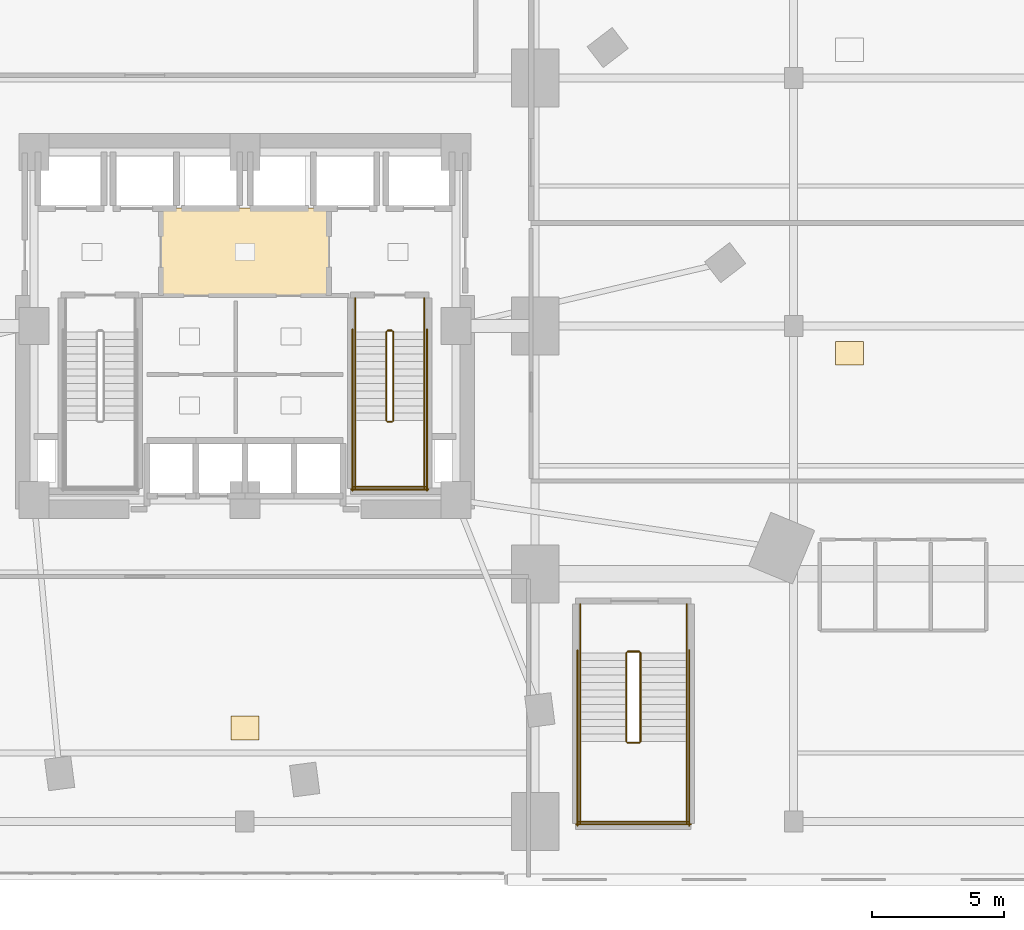
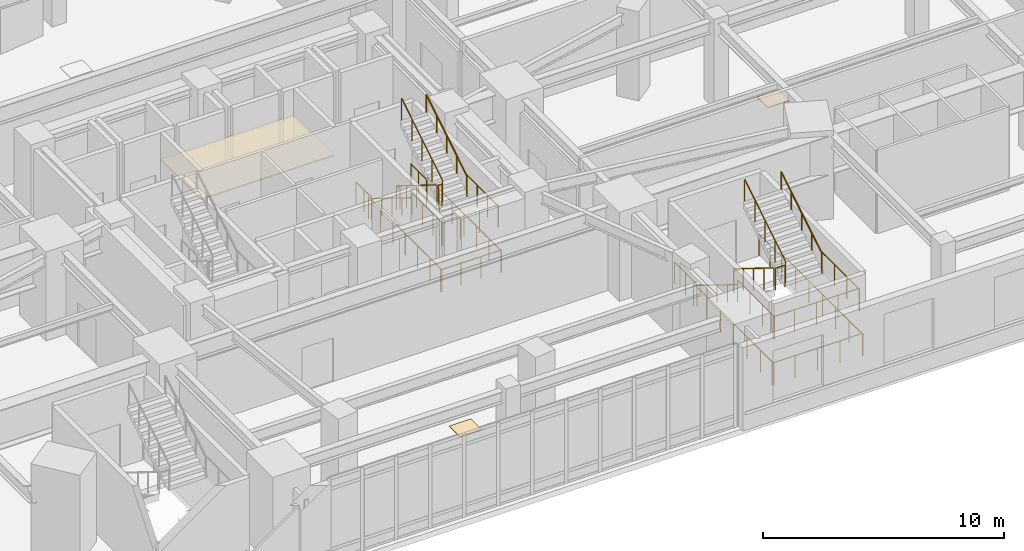
# One storey, part 18 of 19: 28 railings, 3 coverings.
"""IFC4 building model written with IfcOpenShell, lengths in metres."""

from ifc_helpers import new_model, si_unit, direction, frame, origin, origin_2d, place, context, subcontext, project, spatial, rectangle, circle, extrude, material, layer, layer_set, type_object, element, save


model = new_model("IFC4")

# Units and contexts
model_context = context("Model", 3, precision=1e-05, world=origin(), true_north=direction((0.0, 1.0)))
body_context = subcontext(model_context, "Body", "Model", "MODEL_VIEW")
ifc_project = project(units=[si_unit("LENGTHUNIT", "METRE"), si_unit("AREAUNIT", "SQUARE_METRE"), si_unit("VOLUMEUNIT", "CUBIC_METRE"), si_unit("PLANEANGLEUNIT", "RADIAN"), si_unit("MASSUNIT", "GRAM", prefix="KILO")], contexts=[model_context])

# Site, building, storey
site_placement = place(None, origin())
site = spatial("IfcSite", under=ifc_project, at=site_placement, CompositionType="ELEMENT")
building_placement = place(site_placement, origin())
building = spatial("IfcBuilding", under=site, at=building_placement, Name="Ndelora Gate Hotel", CompositionType="ELEMENT")
storey_placement = place(building_placement, frame((0.0, 0.0, 21.5)))
storey = spatial("IfcBuildingStorey", under=building, at=storey_placement, Name="L04", CompositionType="ELEMENT", Elevation=21.5)

# Coverings
ifc_material_1 = material(Name="Perforated Acoustic Gypsum Board", Category="gypsum")
ifc_layer_1 = layer(ifc_material_1, 0.054931640625)
ifc_layer_set_1 = layer_set([ifc_layer_1], Name="Perforated Acoustic Gypsum Board")
covering_type_1 = type_object("IfcCoveringType", Name="COV-CEIL-AC60", PredefinedType="CEILING", material=ifc_layer_set_1)
covering_placement = place(storey_placement, frame((0.0, 2.800048828125, 2.72265625), z_axis=(0.0, 0.0, 1.0), x_axis=(1.0, 0.0, 0.0)))
element("IfcCovering", 1, at=covering_placement, inside=storey, type_object=covering_type_1, Name="L04 Lift Lobby Acoustic Ceiling", PredefinedType="CEILING", context=body_context, shape_type="SweptSolid", body=[
    extrude(rectangle(XDim=6.39990234375, YDim=3.340087890625, at=origin_2d()), origin(), (0.0, 0.0, 1.0), 0.054931640625),
])
ifc_material_2 = material(Name="Engineered Highland Oak Parquet", Category="wood")
ifc_layer_2 = layer(ifc_material_2, 0.030029296875)
ifc_layer_set_2 = layer_set([ifc_layer_2], Name="Engineered Highland Oak Parquet")
covering_type_2 = type_object("IfcCoveringType", Name="COV-FLR-PARQ", PredefinedType="FLOORING", material=ifc_layer_set_2)
for number, where, z_axis, x_axis, name in (
    (2, (0.0, -15.25, 0.0), (0.0, 0.0, 1.0), (1.0, 0.0, 0.0), "L04 South Syndicate Salon Oak Parquet Flooring"),
    (3, (22.925048828125, -1.0400390625, 0.0), (0.0, 0.0, 1.0), (1.0, 0.0, 0.0), "L04 Hotel Executive Administration Office Oak Parquet Flooring"),
):
    element("IfcCovering", number, at=place(storey_placement, frame(where, z_axis=z_axis, x_axis=x_axis)), inside=storey, type_object=covering_type_2, Name=name, PredefinedType="FLOORING", context=body_context, shape_type="SweptSolid", body=[
        extrude(rectangle(XDim=1.050048828125, YDim=0.89990234375, at=origin_2d()), origin(), (0.0, 0.0, 1.0), 0.030029296875),
    ])

# Railings
ifc_material_3 = material(Name="Painted Galvanized Steel Balustrade", Category="steel")
ifc_layer_3 = layer(ifc_material_3, 0.06005859375)
ifc_layer_set_3 = layer_set([ifc_layer_3], Name="Painted Galvanized Steel Balustrade")
railing_type_1 = type_object("IfcRailingType", Name="RL-STAIR-GD", PredefinedType="GUARDRAIL", material=ifc_layer_set_3)
railing_1_placement = place(storey_placement, frame((5.360107421875, -0.22998046875, 0.173095703125)))
element("IfcRailing", 4, at=railing_1_placement, inside=storey, type_object=railing_type_1, Name="L04 ST5 stair guard 1", PredefinedType="GUARDRAIL", context=body_context, shape_type="SweptSolid", body=[
    extrude(circle(Radius=0.02392578125, at=origin_2d()), frame((0.0, 0.0, 1.10595703125), z_axis=(0.0, -0.850623216509, 0.525775754039), x_axis=(1.0, 0.0, 0.0)), (0.0, 0.0, 1.0), 3.9501953125),
    extrude(circle(Radius=0.02099609375, at=origin_2d()), origin(), (0.0, 0.0, 1.0), 1.081787109375),
    extrude(circle(Radius=0.02099609375, at=origin_2d()), frame((0.0, -0.840087890625, 0.519287109375)), (0.0, 0.0, 1.0), 1.081787109375),
    extrude(circle(Radius=0.02099609375, at=origin_2d()), frame((0.0, -1.68017578125, 1.03857421875)), (0.0, 0.0, 1.0), 1.081787109375),
    extrude(circle(Radius=0.02099609375, at=origin_2d()), frame((0.0, -2.52001953125, 1.5576171875)), (0.0, 0.0, 1.0), 1.081787109375),
    extrude(circle(Radius=0.02099609375, at=origin_2d()), frame((0.0, -3.360107421875, 2.076904296875)), (0.0, 0.0, 1.0), 1.081787109375),
])
railing_2_placement = place(storey_placement, frame((5.409912109375, -3.639892578125, 2.25)))
element("IfcRailing", 5, at=railing_2_placement, inside=storey, type_object=railing_type_1, Name="L04 ST5 stair guard 2", PredefinedType="GUARDRAIL", context=body_context, shape_type="SweptSolid", body=[
    extrude(circle(Radius=0.02392578125, at=origin_2d()), frame((0.0, 0.0, 1.10595703125), z_axis=(1.0, 0.0, 0.0), x_axis=(0.0, 1.0, 0.0)), (0.0, 0.0, 1.0), 0.16015625),
    extrude(circle(Radius=0.02099609375, at=origin_2d()), origin(), (0.0, 0.0, 1.0), 1.081787109375),
    extrude(circle(Radius=0.02099609375, at=origin_2d()), frame((0.16015625, 0.0, 0.0)), (0.0, 0.0, 1.0), 1.081787109375),
])
for number, where, name in (
    (6, (4.179931640625, -3.590087890625, 2.25), "L04 ST5 stair guard 3"),
    (7, (6.800048828125, -3.590087890625, 2.25), "L04 ST5 stair guard 4"),
):
    element("IfcRailing", number, at=place(storey_placement, frame(where)), inside=storey, type_object=railing_type_1, Name=name, PredefinedType="GUARDRAIL", context=body_context, shape_type="SweptSolid", body=[
        extrude(circle(Radius=0.02392578125, at=origin_2d()), frame((0.0, 0.0, 1.10595703125), z_axis=(0.0, -1.0, 0.0), x_axis=(1.0, 0.0, 0.0)), (0.0, 0.0, 1.0), 2.559814453125),
        extrude(circle(Radius=0.02099609375, at=origin_2d()), origin(), (0.0, 0.0, 1.0), 1.081787109375),
        extrude(circle(Radius=0.02099609375, at=origin_2d()), frame((0.0, -0.853271484375, 0.0)), (0.0, 0.0, 1.0), 1.081787109375),
        extrude(circle(Radius=0.02099609375, at=origin_2d()), frame((0.0, -1.70654296875, 0.0)), (0.0, 0.0, 1.0), 1.081787109375),
        extrude(circle(Radius=0.02099609375, at=origin_2d()), frame((0.0, -2.559814453125, 0.0)), (0.0, 0.0, 1.0), 1.081787109375),
    ])
railing_3_placement = place(storey_placement, frame((4.1298828125, -6.10009765625, 2.25)))
element("IfcRailing", 8, at=railing_3_placement, inside=storey, type_object=railing_type_1, Name="L04 ST5 stair guard 5", PredefinedType="GUARDRAIL", context=body_context, shape_type="SweptSolid", body=[
    extrude(circle(Radius=0.02392578125, at=origin_2d()), frame((0.0, 0.0, 1.10595703125), z_axis=(1.0, 0.0, 0.0), x_axis=(0.0, 1.0, 0.0)), (0.0, 0.0, 1.0), 2.72021484375),
    extrude(circle(Radius=0.02099609375, at=origin_2d()), origin(), (0.0, 0.0, 1.0), 1.081787109375),
    extrude(circle(Radius=0.02099609375, at=origin_2d()), frame((0.90673828125, 0.0, 0.0)), (0.0, 0.0, 1.0), 1.081787109375),
    extrude(circle(Radius=0.02099609375, at=origin_2d()), frame((1.8134765625, 0.0, 0.0)), (0.0, 0.0, 1.0), 1.081787109375),
    extrude(circle(Radius=0.02099609375, at=origin_2d()), frame((2.72021484375, 0.0, 0.0)), (0.0, 0.0, 1.0), 1.081787109375),
])
railing_4_placement = place(storey_placement, frame((5.6201171875, -3.590087890625, 2.423095703125)))
element("IfcRailing", 9, at=railing_4_placement, inside=storey, type_object=railing_type_1, Name="L04 ST5 stair guard 6", PredefinedType="GUARDRAIL", context=body_context, shape_type="SweptSolid", body=[
    extrude(circle(Radius=0.02392578125, at=origin_2d()), frame((0.0, 0.0, 1.10595703125), z_axis=(0.0, 0.850623216509, 0.525775754039), x_axis=(-1.0, 0.0, 0.0)), (0.0, 0.0, 1.0), 3.9501953125),
    extrude(circle(Radius=0.02099609375, at=origin_2d()), origin(), (0.0, 0.0, 1.0), 1.081787109375),
    extrude(circle(Radius=0.02099609375, at=origin_2d()), frame((0.0, 0.840087890625, 0.519287109375)), (0.0, 0.0, 1.0), 1.081787109375),
    extrude(circle(Radius=0.02099609375, at=origin_2d()), frame((0.0, 1.68017578125, 1.03857421875)), (0.0, 0.0, 1.0), 1.081787109375),
    extrude(circle(Radius=0.02099609375, at=origin_2d()), frame((0.0, 2.52001953125, 1.5576171875)), (0.0, 0.0, 1.0), 1.081787109375),
    extrude(circle(Radius=0.02099609375, at=origin_2d()), frame((0.0, 3.360107421875, 2.076904296875)), (0.0, 0.0, 1.0), 1.081787109375),
])
railing_5_placement = place(storey_placement, frame((5.409912109375, -0.179931640625, 0.0)))
element("IfcRailing", 10, at=railing_5_placement, inside=storey, type_object=railing_type_1, Name="L04 ST5 stair guard 7", PredefinedType="GUARDRAIL", context=body_context, shape_type="SweptSolid", body=[
    extrude(circle(Radius=0.02392578125, at=origin_2d()), frame((0.0, 0.0, 1.10595703125), z_axis=(1.0, 0.0, 0.0), x_axis=(0.0, 1.0, 0.0)), (0.0, 0.0, 1.0), 0.16015625),
    extrude(circle(Radius=0.02099609375, at=origin_2d()), origin(), (0.0, 0.0, 1.0), 1.081787109375),
    extrude(circle(Radius=0.02099609375, at=origin_2d()), frame((0.16015625, 0.0, 0.0)), (0.0, 0.0, 1.0), 1.081787109375),
])
for number, where, name in (
    (11, (4.179931640625, 1.050048828125, 0.0), "L04 ST5 stair guard 8"),
    (12, (6.800048828125, 1.050048828125, 0.0), "L04 ST5 stair guard 9"),
):
    element("IfcRailing", number, at=place(storey_placement, frame(where)), inside=storey, type_object=railing_type_1, Name=name, PredefinedType="GUARDRAIL", context=body_context, shape_type="SweptSolid", body=[
        extrude(circle(Radius=0.02392578125, at=origin_2d()), frame((0.0, 0.0, 1.10595703125), z_axis=(0.0, -1.0, 0.0), x_axis=(1.0, 0.0, 0.0)), (0.0, 0.0, 1.0), 1.280029296875),
        extrude(circle(Radius=0.02099609375, at=origin_2d()), origin(), (0.0, 0.0, 1.0), 1.081787109375),
        extrude(circle(Radius=0.02099609375, at=origin_2d()), frame((0.0, -0.64013671875, 0.0)), (0.0, 0.0, 1.0), 1.081787109375),
        extrude(circle(Radius=0.02099609375, at=origin_2d()), frame((0.0, -1.280029296875, 0.0)), (0.0, 0.0, 1.0), 1.081787109375),
    ])
for number, where, name in (
    (13, (4.080078125, -0.1298828125, 0.0), "L04 ST5 stair guard 10"),
    (14, (6.89990234375, -0.1298828125, 0.0), "L04 ST5 stair guard 11"),
):
    element("IfcRailing", number, at=place(storey_placement, frame(where)), inside=storey, type_object=railing_type_1, Name=name, PredefinedType="GUARDRAIL", context=body_context, shape_type="SweptSolid", body=[
        extrude(circle(Radius=0.02392578125, at=origin_2d()), frame((0.0, 0.0, 1.10595703125), z_axis=(0.0, -1.0, 0.0), x_axis=(1.0, 0.0, 0.0)), (0.0, 0.0, 1.0), 6.1201171875),
        extrude(circle(Radius=0.02099609375, at=origin_2d()), origin(), (0.0, 0.0, 1.0), 1.081787109375),
        extrude(circle(Radius=0.02099609375, at=origin_2d()), frame((0.0, -1.02001953125, 0.0)), (0.0, 0.0, 1.0), 1.081787109375),
        extrude(circle(Radius=0.02099609375, at=origin_2d()), frame((0.0, -2.0400390625, 0.0)), (0.0, 0.0, 1.0), 1.081787109375),
        extrude(circle(Radius=0.02099609375, at=origin_2d()), frame((0.0, -3.06005859375, 0.0)), (0.0, 0.0, 1.0), 1.081787109375),
        extrude(circle(Radius=0.02099609375, at=origin_2d()), frame((0.0, -4.080078125, 0.0)), (0.0, 0.0, 1.0), 1.081787109375),
        extrude(circle(Radius=0.02099609375, at=origin_2d()), frame((0.0, -5.10009765625, 0.0)), (0.0, 0.0, 1.0), 1.081787109375),
        extrude(circle(Radius=0.02099609375, at=origin_2d()), frame((0.0, -6.1201171875, 0.0)), (0.0, 0.0, 1.0), 1.081787109375),
    ])
railing_6_placement = place(storey_placement, frame((4.030029296875, -6.199951171875, 0.0)))
element("IfcRailing", 15, at=railing_6_placement, inside=storey, type_object=railing_type_1, Name="L04 ST5 stair guard 12", PredefinedType="GUARDRAIL", context=body_context, shape_type="SweptSolid", body=[
    extrude(circle(Radius=0.02392578125, at=origin_2d()), frame((0.0, 0.0, 1.10595703125), z_axis=(1.0, 0.0, 0.0), x_axis=(0.0, 1.0, 0.0)), (0.0, 0.0, 1.0), 2.919921875),
    extrude(circle(Radius=0.02099609375, at=origin_2d()), origin(), (0.0, 0.0, 1.0), 1.081787109375),
    extrude(circle(Radius=0.02099609375, at=origin_2d()), frame((0.973388671875, 0.0, 0.0)), (0.0, 0.0, 1.0), 1.081787109375),
    extrude(circle(Radius=0.02099609375, at=origin_2d()), frame((1.946533203125, 0.0, 0.0)), (0.0, 0.0, 1.0), 1.081787109375),
    extrude(circle(Radius=0.02099609375, at=origin_2d()), frame((2.919921875, 0.0, 0.0)), (0.0, 0.0, 1.0), 1.081787109375),
])
railing_7_placement = place(storey_placement, frame((14.4599609375, -12.39990234375, 0.173095703125)))
element("IfcRailing", 16, at=railing_7_placement, inside=storey, type_object=railing_type_1, Name="L04 ST3B stair guard 1", PredefinedType="GUARDRAIL", context=body_context, shape_type="SweptSolid", body=[
    extrude(circle(Radius=0.02392578125, at=origin_2d()), frame((0.0, 0.0, 1.10595703125), z_axis=(0.0, -0.850623216509, 0.525775754039), x_axis=(1.0, 0.0, 0.0)), (0.0, 0.0, 1.0), 3.9501953125),
    extrude(circle(Radius=0.02099609375, at=origin_2d()), origin(), (0.0, 0.0, 1.0), 1.081787109375),
    extrude(circle(Radius=0.02099609375, at=origin_2d()), frame((0.0, -0.840087890625, 0.519287109375)), (0.0, 0.0, 1.0), 1.081787109375),
    extrude(circle(Radius=0.02099609375, at=origin_2d()), frame((0.0, -1.68017578125, 1.03857421875)), (0.0, 0.0, 1.0), 1.081787109375),
    extrude(circle(Radius=0.02099609375, at=origin_2d()), frame((0.0, -2.52001953125, 1.5576171875)), (0.0, 0.0, 1.0), 1.081787109375),
    extrude(circle(Radius=0.02099609375, at=origin_2d()), frame((0.0, -3.360107421875, 2.076904296875)), (0.0, 0.0, 1.0), 1.081787109375),
])
railing_8_placement = place(storey_placement, frame((14.510009765625, -15.81005859375, 2.25)))
element("IfcRailing", 17, at=railing_8_placement, inside=storey, type_object=railing_type_1, Name="L04 ST3B stair guard 2", PredefinedType="GUARDRAIL", context=body_context, shape_type="SweptSolid", body=[
    extrude(circle(Radius=0.02392578125, at=origin_2d()), frame((0.0, 0.0, 1.10595703125), z_axis=(1.0, 0.0, 0.0), x_axis=(0.0, 1.0, 0.0)), (0.0, 0.0, 1.0), 0.43994140625),
    extrude(circle(Radius=0.02099609375, at=origin_2d()), origin(), (0.0, 0.0, 1.0), 1.081787109375),
    extrude(circle(Radius=0.02099609375, at=origin_2d()), frame((0.43994140625, 0.0, 0.0)), (0.0, 0.0, 1.0), 1.081787109375),
])
for number, where, name in (
    (18, (12.7099609375, -15.760009765625, 2.25), "L04 ST3B stair guard 3"),
    (19, (16.75, -15.760009765625, 2.25), "L04 ST3B stair guard 4"),
):
    element("IfcRailing", number, at=place(storey_placement, frame(where)), inside=storey, type_object=railing_type_1, Name=name, PredefinedType="GUARDRAIL", context=body_context, shape_type="SweptSolid", body=[
        extrude(circle(Radius=0.02392578125, at=origin_2d()), frame((0.0, 0.0, 1.10595703125), z_axis=(0.0, -1.0, 0.0), x_axis=(1.0, 0.0, 0.0)), (0.0, 0.0, 1.0), 3.090087890625),
        extrude(circle(Radius=0.02099609375, at=origin_2d()), origin(), (0.0, 0.0, 1.0), 1.081787109375),
        extrude(circle(Radius=0.02099609375, at=origin_2d()), frame((0.0, -1.030029296875, 0.0)), (0.0, 0.0, 1.0), 1.081787109375),
        extrude(circle(Radius=0.02099609375, at=origin_2d()), frame((0.0, -2.06005859375, 0.0)), (0.0, 0.0, 1.0), 1.081787109375),
        extrude(circle(Radius=0.02099609375, at=origin_2d()), frame((0.0, -3.090087890625, 0.0)), (0.0, 0.0, 1.0), 1.081787109375),
    ])
railing_9_placement = place(storey_placement, frame((12.659912109375, -18.800048828125, 2.25)))
element("IfcRailing", 20, at=railing_9_placement, inside=storey, type_object=railing_type_1, Name="L04 ST3B stair guard 5", PredefinedType="GUARDRAIL", context=body_context, shape_type="SweptSolid", body=[
    extrude(circle(Radius=0.02392578125, at=origin_2d()), frame((0.0, 0.0, 1.10595703125), z_axis=(1.0, 0.0, 0.0), x_axis=(0.0, 1.0, 0.0)), (0.0, 0.0, 1.0), 4.14013671875),
    extrude(circle(Radius=0.02099609375, at=origin_2d()), origin(), (0.0, 0.0, 1.0), 1.081787109375),
    extrude(circle(Radius=0.02099609375, at=origin_2d()), frame((1.03515625, 0.0, 0.0)), (0.0, 0.0, 1.0), 1.081787109375),
    extrude(circle(Radius=0.02099609375, at=origin_2d()), frame((2.070068359375, 0.0, 0.0)), (0.0, 0.0, 1.0), 1.081787109375),
    extrude(circle(Radius=0.02099609375, at=origin_2d()), frame((3.10498046875, 0.0, 0.0)), (0.0, 0.0, 1.0), 1.081787109375),
    extrude(circle(Radius=0.02099609375, at=origin_2d()), frame((4.14013671875, 0.0, 0.0)), (0.0, 0.0, 1.0), 1.081787109375),
])
railing_10_placement = place(storey_placement, frame((15.0, -15.760009765625, 2.423095703125)))
element("IfcRailing", 21, at=railing_10_placement, inside=storey, type_object=railing_type_1, Name="L04 ST3B stair guard 6", PredefinedType="GUARDRAIL", context=body_context, shape_type="SweptSolid", body=[
    extrude(circle(Radius=0.02392578125, at=origin_2d()), frame((0.0, 0.0, 1.10595703125), z_axis=(0.0, 0.850623216509, 0.525775754039), x_axis=(-1.0, 0.0, 0.0)), (0.0, 0.0, 1.0), 3.9501953125),
    extrude(circle(Radius=0.02099609375, at=origin_2d()), origin(), (0.0, 0.0, 1.0), 1.081787109375),
    extrude(circle(Radius=0.02099609375, at=origin_2d()), frame((0.0, 0.840087890625, 0.519287109375)), (0.0, 0.0, 1.0), 1.081787109375),
    extrude(circle(Radius=0.02099609375, at=origin_2d()), frame((0.0, 1.68017578125, 1.03857421875)), (0.0, 0.0, 1.0), 1.081787109375),
    extrude(circle(Radius=0.02099609375, at=origin_2d()), frame((0.0, 2.52001953125, 1.5576171875)), (0.0, 0.0, 1.0), 1.081787109375),
    extrude(circle(Radius=0.02099609375, at=origin_2d()), frame((0.0, 3.360107421875, 2.076904296875)), (0.0, 0.0, 1.0), 1.081787109375),
])
railing_11_placement = place(storey_placement, frame((14.510009765625, -12.35009765625, 0.0)))
element("IfcRailing", 22, at=railing_11_placement, inside=storey, type_object=railing_type_1, Name="L04 ST3B stair guard 7", PredefinedType="GUARDRAIL", context=body_context, shape_type="SweptSolid", body=[
    extrude(circle(Radius=0.02392578125, at=origin_2d()), frame((0.0, 0.0, 1.10595703125), z_axis=(1.0, 0.0, 0.0), x_axis=(0.0, 1.0, 0.0)), (0.0, 0.0, 1.0), 0.43994140625),
    extrude(circle(Radius=0.02099609375, at=origin_2d()), origin(), (0.0, 0.0, 1.0), 1.081787109375),
    extrude(circle(Radius=0.02099609375, at=origin_2d()), frame((0.43994140625, 0.0, 0.0)), (0.0, 0.0, 1.0), 1.081787109375),
])
for number, where, name in (
    (23, (12.7099609375, -10.550048828125, 0.0), "L04 ST3B stair guard 8"),
    (24, (16.75, -10.550048828125, 0.0), "L04 ST3B stair guard 9"),
):
    element("IfcRailing", number, at=place(storey_placement, frame(where)), inside=storey, type_object=railing_type_1, Name=name, PredefinedType="GUARDRAIL", context=body_context, shape_type="SweptSolid", body=[
        extrude(circle(Radius=0.02392578125, at=origin_2d()), frame((0.0, 0.0, 1.10595703125), z_axis=(0.0, -1.0, 0.0), x_axis=(1.0, 0.0, 0.0)), (0.0, 0.0, 1.0), 1.849853515625),
        extrude(circle(Radius=0.02099609375, at=origin_2d()), origin(), (0.0, 0.0, 1.0), 1.081787109375),
        extrude(circle(Radius=0.02099609375, at=origin_2d()), frame((0.0, -0.9248046875, 0.0)), (0.0, 0.0, 1.0), 1.081787109375),
        extrude(circle(Radius=0.02099609375, at=origin_2d()), frame((0.0, -1.849853515625, 0.0)), (0.0, 0.0, 1.0), 1.081787109375),
    ])
for number, where, name in (
    (25, (12.610107421875, -12.300048828125, 0.0), "L04 ST3B stair guard 10"),
    (26, (16.85009765625, -12.300048828125, 0.0), "L04 ST3B stair guard 11"),
):
    element("IfcRailing", number, at=place(storey_placement, frame(where)), inside=storey, type_object=railing_type_1, Name=name, PredefinedType="GUARDRAIL", context=body_context, shape_type="SweptSolid", body=[
        extrude(circle(Radius=0.02392578125, at=origin_2d()), frame((0.0, 0.0, 1.10595703125), z_axis=(0.0, -1.0, 0.0), x_axis=(1.0, 0.0, 0.0)), (0.0, 0.0, 1.0), 6.64990234375),
        extrude(circle(Radius=0.02099609375, at=origin_2d()), origin(), (0.0, 0.0, 1.0), 1.081787109375),
        extrude(circle(Radius=0.02099609375, at=origin_2d()), frame((0.0, -1.1083984375, 0.0)), (0.0, 0.0, 1.0), 1.081787109375),
        extrude(circle(Radius=0.02099609375, at=origin_2d()), frame((0.0, -2.216552734375, 0.0)), (0.0, 0.0, 1.0), 1.081787109375),
        extrude(circle(Radius=0.02099609375, at=origin_2d()), frame((0.0, -3.324951171875, 0.0)), (0.0, 0.0, 1.0), 1.081787109375),
        extrude(circle(Radius=0.02099609375, at=origin_2d()), frame((0.0, -4.433349609375, 0.0)), (0.0, 0.0, 1.0), 1.081787109375),
        extrude(circle(Radius=0.02099609375, at=origin_2d()), frame((0.0, -5.54150390625, 0.0)), (0.0, 0.0, 1.0), 1.081787109375),
        extrude(circle(Radius=0.02099609375, at=origin_2d()), frame((0.0, -6.64990234375, 0.0)), (0.0, 0.0, 1.0), 1.081787109375),
    ])
railing_12_placement = place(storey_placement, frame((12.56005859375, -18.89990234375, 0.0)))
element("IfcRailing", 27, at=railing_12_placement, inside=storey, type_object=railing_type_1, Name="L04 ST3B stair guard 12", PredefinedType="GUARDRAIL", context=body_context, shape_type="SweptSolid", body=[
    extrude(circle(Radius=0.02392578125, at=origin_2d()), frame((0.0, 0.0, 1.10595703125), z_axis=(1.0, 0.0, 0.0), x_axis=(0.0, 1.0, 0.0)), (0.0, 0.0, 1.0), 4.33984375),
    extrude(circle(Radius=0.02099609375, at=origin_2d()), origin(), (0.0, 0.0, 1.0), 1.081787109375),
    extrude(circle(Radius=0.02099609375, at=origin_2d()), frame((1.0849609375, 0.0, 0.0)), (0.0, 0.0, 1.0), 1.081787109375),
    extrude(circle(Radius=0.02099609375, at=origin_2d()), frame((2.169921875, 0.0, 0.0)), (0.0, 0.0, 1.0), 1.081787109375),
    extrude(circle(Radius=0.02099609375, at=origin_2d()), frame((3.2548828125, 0.0, 0.0)), (0.0, 0.0, 1.0), 1.081787109375),
    extrude(circle(Radius=0.02099609375, at=origin_2d()), frame((4.33984375, 0.0, 0.0)), (0.0, 0.0, 1.0), 1.081787109375),
])
ifc_material_4 = material(Name="Brushed Stainless Steel 316", Category="steel")
ifc_layer_4 = layer(ifc_material_4, 0.050048828125)
ifc_layer_set_4 = layer_set([ifc_layer_4], Name="Brushed Stainless Steel 316")
railing_type_2 = type_object("IfcRailingType", Name="RL-STAIR-HR", PredefinedType="HANDRAIL", material=ifc_layer_set_4)
railing_13_placement = place(storey_placement, frame((4.179931640625, -0.22998046875, 0.173095703125)))
element("IfcRailing", 28, at=railing_13_placement, inside=storey, type_object=railing_type_2, Name="L04 ST5 stair handrail 1", PredefinedType="HANDRAIL", context=body_context, shape_type="SweptSolid", body=[
    extrude(circle(Radius=0.02392578125, at=origin_2d()), frame((0.0, 0.0, 0.8759765625), z_axis=(0.0, -0.850623216509, 0.525775754039), x_axis=(1.0, 0.0, 0.0)), (0.0, 0.0, 1.0), 3.9501953125),
    extrude(circle(Radius=0.02099609375, at=origin_2d()), origin(), (0.0, 0.0, 1.0), 0.851806640625),
    extrude(circle(Radius=0.02099609375, at=origin_2d()), frame((0.0, -0.840087890625, 0.519287109375)), (0.0, 0.0, 1.0), 0.851806640625),
    extrude(circle(Radius=0.02099609375, at=origin_2d()), frame((0.0, -1.68017578125, 1.03857421875)), (0.0, 0.0, 1.0), 0.851806640625),
    extrude(circle(Radius=0.02099609375, at=origin_2d()), frame((0.0, -2.52001953125, 1.5576171875)), (0.0, 0.0, 1.0), 0.851806640625),
    extrude(circle(Radius=0.02099609375, at=origin_2d()), frame((0.0, -3.360107421875, 2.076904296875)), (0.0, 0.0, 1.0), 0.851806640625),
])
railing_14_placement = place(storey_placement, frame((6.800048828125, -3.590087890625, 2.423095703125)))
element("IfcRailing", 29, at=railing_14_placement, inside=storey, type_object=railing_type_2, Name="L04 ST5 stair handrail 2", PredefinedType="HANDRAIL", context=body_context, shape_type="SweptSolid", body=[
    extrude(circle(Radius=0.02392578125, at=origin_2d()), frame((0.0, 0.0, 0.8759765625), z_axis=(0.0, 0.850623216509, 0.525775754039), x_axis=(-1.0, 0.0, 0.0)), (0.0, 0.0, 1.0), 3.9501953125),
    extrude(circle(Radius=0.02099609375, at=origin_2d()), origin(), (0.0, 0.0, 1.0), 0.851806640625),
    extrude(circle(Radius=0.02099609375, at=origin_2d()), frame((0.0, 0.840087890625, 0.519287109375)), (0.0, 0.0, 1.0), 0.851806640625),
    extrude(circle(Radius=0.02099609375, at=origin_2d()), frame((0.0, 1.68017578125, 1.03857421875)), (0.0, 0.0, 1.0), 0.851806640625),
    extrude(circle(Radius=0.02099609375, at=origin_2d()), frame((0.0, 2.52001953125, 1.5576171875)), (0.0, 0.0, 1.0), 0.851806640625),
    extrude(circle(Radius=0.02099609375, at=origin_2d()), frame((0.0, 3.360107421875, 2.076904296875)), (0.0, 0.0, 1.0), 0.851806640625),
])
railing_15_placement = place(storey_placement, frame((12.7099609375, -12.39990234375, 0.173095703125)))
element("IfcRailing", 30, at=railing_15_placement, inside=storey, type_object=railing_type_2, Name="L04 ST3B stair handrail 1", PredefinedType="HANDRAIL", context=body_context, shape_type="SweptSolid", body=[
    extrude(circle(Radius=0.02392578125, at=origin_2d()), frame((0.0, 0.0, 0.8759765625), z_axis=(0.0, -0.850623216509, 0.525775754039), x_axis=(1.0, 0.0, 0.0)), (0.0, 0.0, 1.0), 3.9501953125),
    extrude(circle(Radius=0.02099609375, at=origin_2d()), origin(), (0.0, 0.0, 1.0), 0.851806640625),
    extrude(circle(Radius=0.02099609375, at=origin_2d()), frame((0.0, -0.840087890625, 0.519287109375)), (0.0, 0.0, 1.0), 0.851806640625),
    extrude(circle(Radius=0.02099609375, at=origin_2d()), frame((0.0, -1.68017578125, 1.03857421875)), (0.0, 0.0, 1.0), 0.851806640625),
    extrude(circle(Radius=0.02099609375, at=origin_2d()), frame((0.0, -2.52001953125, 1.5576171875)), (0.0, 0.0, 1.0), 0.851806640625),
    extrude(circle(Radius=0.02099609375, at=origin_2d()), frame((0.0, -3.360107421875, 2.076904296875)), (0.0, 0.0, 1.0), 0.851806640625),
])
railing_16_placement = place(storey_placement, frame((16.75, -15.760009765625, 2.423095703125)))
element("IfcRailing", 31, at=railing_16_placement, inside=storey, type_object=railing_type_2, Name="L04 ST3B stair handrail 2", PredefinedType="HANDRAIL", context=body_context, shape_type="SweptSolid", body=[
    extrude(circle(Radius=0.02392578125, at=origin_2d()), frame((0.0, 0.0, 0.8759765625), z_axis=(0.0, 0.850623216509, 0.525775754039), x_axis=(-1.0, 0.0, 0.0)), (0.0, 0.0, 1.0), 3.9501953125),
    extrude(circle(Radius=0.02099609375, at=origin_2d()), origin(), (0.0, 0.0, 1.0), 0.851806640625),
    extrude(circle(Radius=0.02099609375, at=origin_2d()), frame((0.0, 0.840087890625, 0.519287109375)), (0.0, 0.0, 1.0), 0.851806640625),
    extrude(circle(Radius=0.02099609375, at=origin_2d()), frame((0.0, 1.68017578125, 1.03857421875)), (0.0, 0.0, 1.0), 0.851806640625),
    extrude(circle(Radius=0.02099609375, at=origin_2d()), frame((0.0, 2.52001953125, 1.5576171875)), (0.0, 0.0, 1.0), 0.851806640625),
    extrude(circle(Radius=0.02099609375, at=origin_2d()), frame((0.0, 3.360107421875, 2.076904296875)), (0.0, 0.0, 1.0), 0.851806640625),
])

save(model, "model.ifc")
